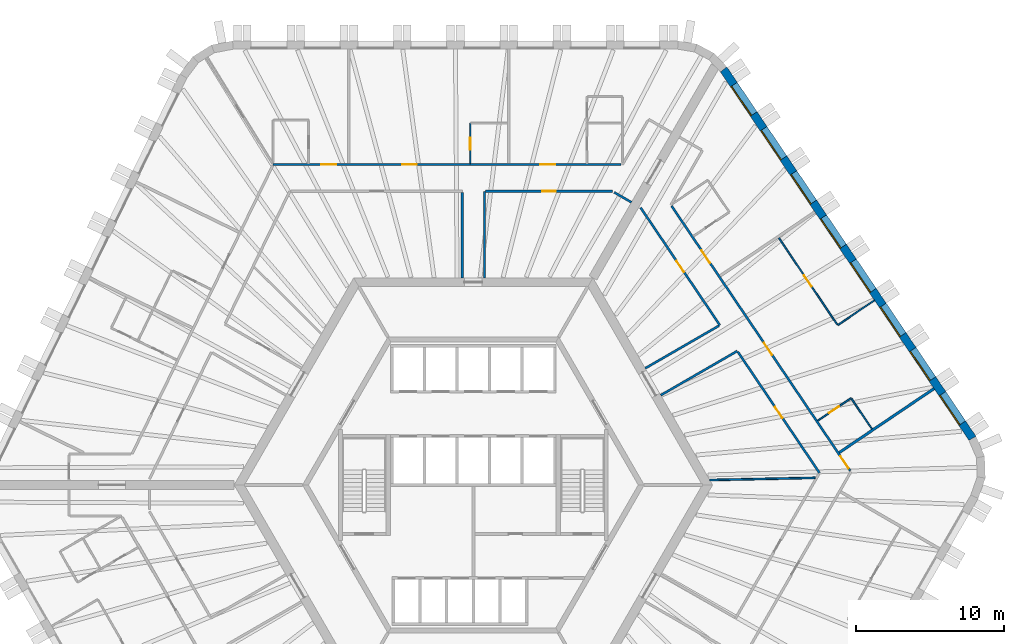
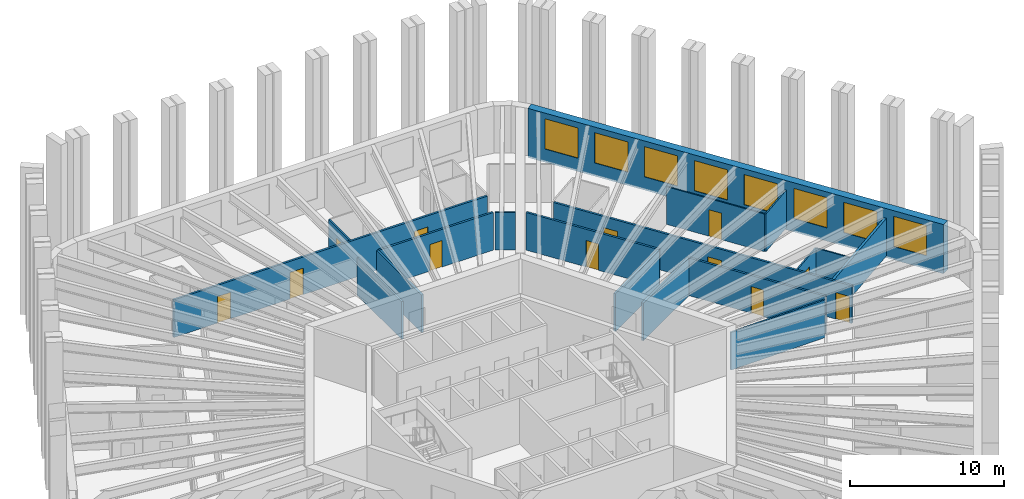
# One storey, part 9 of 13: 18 walls, 12 doors, 8 windows, 20 openings.
"""IFC4 building model written with IfcOpenShell, lengths in metres."""

from ifc_helpers import new_model, si_unit, direction, frame, frame_2d, origin, place, context, subcontext, project, spatial, polyline, rectangle, outline, extrude, material, layer, layer_set, type_object, element, fill, save


model = new_model("IFC4")

# Units and contexts
model_context = context("Model", 3, precision=1e-05, world=origin(), true_north=direction((0.0, 1.0)))
body_context = subcontext(model_context, "Body", "Model", "MODEL_VIEW")
ifc_project = project(units=[si_unit("LENGTHUNIT", "METRE"), si_unit("AREAUNIT", "SQUARE_METRE"), si_unit("VOLUMEUNIT", "CUBIC_METRE"), si_unit("PLANEANGLEUNIT", "RADIAN"), si_unit("MASSUNIT", "GRAM", prefix="KILO")], contexts=[model_context])

# Site, building, storey
site_placement = place(None, origin())
site = spatial("IfcSite", under=ifc_project, at=site_placement, CompositionType="ELEMENT")
building_placement = place(site_placement, origin())
building = spatial("IfcBuilding", under=site, at=building_placement, Name="Tarnside Tower", CompositionType="ELEMENT")
storey_placement = place(building_placement, frame((0.0, 0.0, 80.39990234375)))
storey = spatial("IfcBuildingStorey", under=building, at=storey_placement, Name="L17", CompositionType="ELEMENT", Elevation=80.39990234375)

# Wall, opening, door
ifc_material_1 = material(Name="Gypsum board partition on steel studs", Category="steel")
ifc_layer_1 = layer(ifc_material_1, 0.10009765625)
ifc_layer_set_1 = layer_set([ifc_layer_1], Name="Bathroom wall 100")
wall_type_1 = type_object("IfcWallType", Name="Bathroom wall 100", PredefinedType="PARTITIONING", material=ifc_layer_set_1)
wall_1_placement = place(storey_placement, frame((-0.2109375, 21.72509765625, 0.0), z_axis=(0.0, 0.0, 1.0), x_axis=(0.0, 1.0, 0.0)))
wall_1 = element("IfcWall", 1, at=wall_1_placement, inside=storey, type_object=wall_type_1, Name="Bathroom wall 05087", PredefinedType="PARTITIONING", context=body_context, shape_type="SweptSolid", body=[
    extrude(rectangle(XDim=2.724853515625, YDim=0.10009765625, at=frame_2d((1.3623046875, 0.0))), origin(), (0.0, 0.0, 1.0), 2.98779296875),
])
opening_1_placement = place(wall_1_placement, frame((0.925048828125, 0.0, 0.0)))
opening_1 = element("IfcOpeningElement", 2, at=opening_1_placement, cuts=wall_1, Name="Opening D-B1", PredefinedType="OPENING", context=body_context, shape_type="SweptSolid", body=[
    extrude(rectangle(XDim=0.800048828125, YDim=2.10009765625, at=frame_2d((0.39990234375, 1.050048828125))), frame((0.0, 0.06005859375, 0.0), z_axis=(0.0, -1.0, 0.0), x_axis=(1.0, 0.0, 0.0)), (0.0, 0.0, 1.0), 0.1201171875),
])
ifc_material_2 = material(Name="Timber door leaf", Category="wood")
door_type_1 = type_object("IfcDoorType", Name="Bathroom door 800", OperationType="NOTDEFINED", PredefinedType="DOOR", material=ifc_material_2)
door_1_placement = place(opening_1_placement, origin())
door_1 = element("IfcDoor", 3, at=door_1_placement, inside=storey, type_object=door_type_1, Name="Bathroom door 05005", OperationType="SINGLE_SWING_RIGHT", OverallHeight=2.10009765625, OverallWidth=0.800048828125, PredefinedType="DOOR", context=body_context, shape_type="SweptSolid", body=[
    extrude(rectangle(XDim=0.800048828125, YDim=2.10009765625, at=frame_2d((0.39990234375, 1.050048828125))), frame((0.0, 0.02490234375, 0.0), z_axis=(0.0, -1.0, 0.0), x_axis=(1.0, 0.0, 0.0)), (0.0, 0.0, 1.0), 0.050048828125),
])
fill(opening_1, door_1)

wall_2_placement = place(storey_placement, frame((23.2734375, 4.34619140625, 0.0), z_axis=(0.0, 0.0, 1.0), x_axis=(0.829005477618, 0.559240483226, 0.0)))
wall_2 = element("IfcWall", 4, at=wall_2_placement, inside=storey, type_object=wall_type_1, Name="Bathroom wall 05150", PredefinedType="PARTITIONING", context=body_context, shape_type="SweptSolid", body=[
    extrude(rectangle(XDim=2.72509765625, YDim=0.10009765625, at=frame_2d((1.362548828125, 0.0))), origin(), (0.0, 0.0, 1.0), 2.98779296875),
])
opening_2_placement = place(wall_2_placement, frame((0.925048828125, 0.0, 0.0)))
opening_2 = element("IfcOpeningElement", 5, at=opening_2_placement, cuts=wall_2, Name="Opening D-B1", PredefinedType="OPENING", context=body_context, shape_type="SweptSolid", body=[
    extrude(rectangle(XDim=0.800048828125, YDim=2.10009765625, at=frame_2d((0.39990234375, 1.050048828125))), frame((0.0, 0.06005859375, 0.0), z_axis=(0.0, -1.0, 0.0), x_axis=(1.0, 0.0, 0.0)), (0.0, 0.0, 1.0), 0.1201171875),
])
door_2_placement = place(opening_2_placement, origin())
door_2 = element("IfcDoor", 6, at=door_2_placement, inside=storey, type_object=door_type_1, Name="Bathroom door 05037", OperationType="SINGLE_SWING_RIGHT", OverallHeight=2.10009765625, OverallWidth=0.800048828125, PredefinedType="DOOR", context=body_context, shape_type="SweptSolid", body=[
    extrude(rectangle(XDim=0.800048828125, YDim=2.10009765625, at=frame_2d((0.39990234375, 1.050048828125))), frame((0.0, 0.02490234375, 0.0), z_axis=(0.0, -1.0, 0.0), x_axis=(1.0, 0.0, 0.0)), (0.0, 0.0, 1.0), 0.050048828125),
])
fill(opening_2, door_2)

# Wall
wall_3_placement = place(storey_placement, frame((25.560546875, 5.82861328125, 0.0), z_axis=(0.0, 0.0, 1.0), x_axis=(0.559249542518, -0.82899936622, 0.0)))
element("IfcWall", 7, at=wall_3_placement, inside=storey, type_object=wall_type_1, Name="Bathroom wall 05151", PredefinedType="PARTITIONING", context=body_context, shape_type="SweptSolid", body=[
    extrude(rectangle(XDim=2.4599609375, YDim=0.10009765625, at=frame_2d((1.22998046875, 0.0))), origin(), (0.0, 0.0, 1.0), 2.98779296875),
])

# Wall, openings, doors
ifc_layer_2 = layer(ifc_material_1, 0.14990234375)
ifc_layer_set_2 = layer_set([ifc_layer_2], Name="Corridor wall 150 EI 60")
wall_type_2 = type_object("IfcWallType", Name="Corridor wall 150 EI 60", PredefinedType="PARTITIONING", material=ifc_layer_set_2)
wall_4_placement = place(storey_placement, frame((9.988037109375, 21.64990234375, 0.0), z_axis=(0.0, 0.0, 1.0), x_axis=(-1.0, 0.0, 0.0)))
wall_4 = element("IfcWall", 8, at=wall_4_placement, inside=storey, type_object=wall_type_2, Name="Corridor wall 05001", PredefinedType="PARTITIONING", context=body_context, shape_type="SweptSolid", body=[
    extrude(rectangle(XDim=23.516357421875, YDim=0.14990234375, at=frame_2d((11.75830078125, 0.0))), origin(), (0.0, 0.0, 1.0), 2.98779296875),
])
opening_3_placement = place(wall_4_placement, frame((4.456298828125, 0.0, 0.0)))
opening_3 = element("IfcOpeningElement", 9, at=opening_3_placement, cuts=wall_4, Name="Opening D-E1", PredefinedType="OPENING", context=body_context, shape_type="SweptSolid", body=[
    extrude(rectangle(XDim=1.0, YDim=2.10009765625, at=frame_2d((0.5, 1.050048828125))), frame((0.0, 0.0849609375, 0.0), z_axis=(0.0, -1.0, 0.0), x_axis=(1.0, 0.0, 0.0)), (0.0, 0.0, 1.0), 0.169921875),
])
opening_4_placement = place(wall_4_placement, frame((13.79931640625, 0.0, 0.0)))
opening_4 = element("IfcOpeningElement", 10, at=opening_4_placement, cuts=wall_4, Name="Opening D-E1", PredefinedType="OPENING", context=body_context, shape_type="SweptSolid", body=[
    extrude(rectangle(XDim=1.0, YDim=2.10009765625, at=frame_2d((0.5, 1.050048828125))), frame((0.0, 0.0849609375, 0.0), z_axis=(0.0, -1.0, 0.0), x_axis=(1.0, 0.0, 0.0)), (0.0, 0.0, 1.0), 0.169921875),
])
opening_5_placement = place(wall_4_placement, frame((19.2578125, 0.0, 0.0)))
opening_5 = element("IfcOpeningElement", 11, at=opening_5_placement, cuts=wall_4, Name="Opening D-E1", PredefinedType="OPENING", context=body_context, shape_type="SweptSolid", body=[
    extrude(rectangle(XDim=1.0, YDim=2.10009765625, at=frame_2d((0.5, 1.050048828125))), frame((0.0, 0.0849609375, 0.0), z_axis=(0.0, -1.0, 0.0), x_axis=(1.0, 0.0, 0.0)), (0.0, 0.0, 1.0), 0.169921875),
])
door_type_2 = type_object("IfcDoorType", Name="Unit entrance door 1000 FD30S", OperationType="NOTDEFINED", PredefinedType="DOOR", material=ifc_material_2)
door_3_placement = place(opening_3_placement, origin())
door_3 = element("IfcDoor", 12, at=door_3_placement, inside=storey, type_object=door_type_2, Name="Unit door 05001", OperationType="SINGLE_SWING_RIGHT", OverallHeight=2.10009765625, OverallWidth=1.0, PredefinedType="DOOR", context=body_context, shape_type="SweptSolid", body=[
    extrude(rectangle(XDim=1.0, YDim=2.10009765625, at=frame_2d((0.5, 1.050048828125))), frame((0.0, 0.02490234375, 0.0), z_axis=(0.0, -1.0, 0.0), x_axis=(1.0, 0.0, 0.0)), (0.0, 0.0, 1.0), 0.050048828125),
])
fill(opening_3, door_3)
door_4_placement = place(opening_4_placement, origin())
door_4 = element("IfcDoor", 13, at=door_4_placement, inside=storey, type_object=door_type_2, Name="Unit door 05004", OperationType="SINGLE_SWING_LEFT", OverallHeight=2.10009765625, OverallWidth=1.0, PredefinedType="DOOR", context=body_context, shape_type="SweptSolid", body=[
    extrude(rectangle(XDim=1.0, YDim=2.10009765625, at=frame_2d((0.5, 1.050048828125))), frame((0.0, 0.02490234375, 0.0), z_axis=(0.0, -1.0, 0.0), x_axis=(1.0, 0.0, 0.0)), (0.0, 0.0, 1.0), 0.050048828125),
])
fill(opening_4, door_4)
door_5_placement = place(opening_5_placement, origin())
door_5 = element("IfcDoor", 14, at=door_5_placement, inside=storey, type_object=door_type_2, Name="Unit door 05006", OperationType="SINGLE_SWING_RIGHT", OverallHeight=2.10009765625, OverallWidth=1.0, PredefinedType="DOOR", context=body_context, shape_type="SweptSolid", body=[
    extrude(rectangle(XDim=1.0, YDim=2.10009765625, at=frame_2d((0.5, 1.050048828125))), frame((0.0, 0.02490234375, 0.0), z_axis=(0.0, -1.0, 0.0), x_axis=(1.0, 0.0, 0.0)), (0.0, 0.0, 1.0), 0.050048828125),
])
fill(opening_5, door_5)

# Walls
wall_5_placement = place(storey_placement, frame((-0.75, 19.77490234375, 0.0), z_axis=(0.0, 0.0, 1.0), x_axis=(0.0, -1.0, 0.0)))
element("IfcWall", 15, at=wall_5_placement, inside=storey, type_object=wall_type_2, Name="Corridor wall 05019", PredefinedType="PARTITIONING", context=body_context, shape_type="SweptSolid", body=[
    extrude(rectangle(XDim=5.77490234375, YDim=0.14990234375, at=frame_2d((2.887451171875, 0.0))), origin(), (0.0, 0.0, 1.0), 2.98779296875),
])
wall_6_placement = place(storey_placement, frame((0.75, 14.0, 0.0), z_axis=(0.0, 0.0, 1.0), x_axis=(0.0, 1.0, 0.0)))
element("IfcWall", 16, at=wall_6_placement, inside=storey, type_object=wall_type_2, Name="Corridor wall 05022", PredefinedType="PARTITIONING", context=body_context, shape_type="SweptSolid", body=[
    extrude(rectangle(XDim=5.85009765625, YDim=0.14990234375, at=frame_2d((2.925048828125, 0.0))), origin(), (0.0, 0.0, 1.0), 2.98779296875),
])

# Wall, opening, door
wall_7_placement = place(storey_placement, frame((0.824951171875, 19.85009765625, 0.0), z_axis=(0.0, 0.0, 1.0), x_axis=(1.0, 0.0, 0.0)))
wall_7 = element("IfcWall", 17, at=wall_7_placement, inside=storey, type_object=wall_type_2, Name="Corridor wall 05023", PredefinedType="PARTITIONING", context=body_context, shape_type="SweptSolid", body=[
    extrude(rectangle(XDim=8.564208984375, YDim=0.14990234375, at=frame_2d((4.2822265625, 0.0))), origin(), (0.0, 0.0, 1.0), 2.98779296875),
])
opening_6_placement = place(wall_7_placement, frame((3.83203125, 0.0, 0.0)))
opening_6 = element("IfcOpeningElement", 18, at=opening_6_placement, cuts=wall_7, Name="Opening D-S1", PredefinedType="OPENING", context=body_context, shape_type="SweptSolid", body=[
    extrude(rectangle(XDim=0.89990234375, YDim=2.10009765625, at=frame_2d((0.449951171875, 1.050048828125))), frame((0.0, 0.0849609375, 0.0), z_axis=(0.0, -1.0, 0.0), x_axis=(1.0, 0.0, 0.0)), (0.0, 0.0, 1.0), 0.169921875),
])
door_type_3 = type_object("IfcDoorType", Name="Service room door 900 FD30S", OperationType="NOTDEFINED", PredefinedType="DOOR", material=ifc_material_2)
door_6_placement = place(opening_6_placement, origin())
door_6 = element("IfcDoor", 19, at=door_6_placement, inside=storey, type_object=door_type_3, Name="Service door 05043", OperationType="SINGLE_SWING_RIGHT", OverallHeight=2.10009765625, OverallWidth=0.89990234375, PredefinedType="DOOR", context=body_context, shape_type="SweptSolid", body=[
    extrude(rectangle(XDim=0.89990234375, YDim=2.10009765625, at=frame_2d((0.449951171875, 1.050048828125))), frame((0.0, 0.02490234375, 0.0), z_axis=(0.0, -1.0, 0.0), x_axis=(1.0, 0.0, 0.0)), (0.0, 0.0, 1.0), 0.050048828125),
])
fill(opening_6, door_6)

# Wall
wall_8_placement = place(storey_placement, frame((9.51904296875, 19.77490234375, 0.0), z_axis=(0.0, 0.0, 1.0), x_axis=(0.866043397086, -0.499968833392, 0.0)))
element("IfcWall", 20, at=wall_8_placement, inside=storey, type_object=wall_type_2, Name="Corridor wall 05024", PredefinedType="PARTITIONING", context=body_context, shape_type="SweptSolid", body=[
    extrude(rectangle(XDim=1.34375, YDim=0.14990234375, at=frame_2d((0.671875, 0.0))), origin(), (0.0, 0.0, 1.0), 2.98779296875),
])

# Wall, openings, doors
wall_9_placement = place(storey_placement, frame((25.467041015625, 0.960205078125, 0.0), z_axis=(0.0, 0.0, 1.0), x_axis=(-0.559192112521, 0.829038106057, 0.0)))
wall_9 = element("IfcWall", 21, at=wall_9_placement, inside=storey, type_object=wall_type_2, Name="Corridor wall 05062", PredefinedType="PARTITIONING", context=body_context, shape_type="SweptSolid", body=[
    extrude(rectangle(XDim=21.58447265625, YDim=0.14990234375, at=frame_2d((10.792236328125, 0.0))), origin(), (0.0, 0.0, 1.0), 2.98779296875),
])
opening_7_placement = place(wall_9_placement, frame((0.183837890625, 0.0, 0.0)))
opening_7 = element("IfcOpeningElement", 22, at=opening_7_placement, cuts=wall_9, Name="Opening D-E1", PredefinedType="OPENING", context=body_context, shape_type="SweptSolid", body=[
    extrude(rectangle(XDim=1.0, YDim=2.10009765625, at=frame_2d((0.5, 1.050048828125))), frame((0.0, 0.0849609375, 0.0), z_axis=(0.0, -1.0, 0.0), x_axis=(1.0, 0.0, 0.0)), (0.0, 0.0, 1.0), 0.169921875),
])
opening_8_placement = place(wall_9_placement, frame((9.433837890625, 0.0, 0.0)))
opening_8 = element("IfcOpeningElement", 23, at=opening_8_placement, cuts=wall_9, Name="Opening D-E1", PredefinedType="OPENING", context=body_context, shape_type="SweptSolid", body=[
    extrude(rectangle(XDim=1.0, YDim=2.10009765625, at=frame_2d((0.5, 1.050048828125))), frame((0.0, 0.0849609375, 0.0), z_axis=(0.0, -1.0, 0.0), x_axis=(1.0, 0.0, 0.0)), (0.0, 0.0, 1.0), 0.169921875),
])
opening_9_placement = place(wall_9_placement, frame((16.950927734375, 0.0, 0.0)))
opening_9 = element("IfcOpeningElement", 24, at=opening_9_placement, cuts=wall_9, Name="Opening D-E1", PredefinedType="OPENING", context=body_context, shape_type="SweptSolid", body=[
    extrude(rectangle(XDim=1.0, YDim=2.10009765625, at=frame_2d((0.5, 1.050048828125))), frame((0.0, 0.0849609375, 0.0), z_axis=(0.0, -1.0, 0.0), x_axis=(1.0, 0.0, 0.0)), (0.0, 0.0, 1.0), 0.169921875),
])
door_7_placement = place(opening_7_placement, origin())
door_7 = element("IfcDoor", 25, at=door_7_placement, inside=storey, type_object=door_type_2, Name="Unit door 05035", OperationType="SINGLE_SWING_RIGHT", OverallHeight=2.10009765625, OverallWidth=1.0, PredefinedType="DOOR", context=body_context, shape_type="SweptSolid", body=[
    extrude(rectangle(XDim=1.0, YDim=2.10009765625, at=frame_2d((0.5, 1.050048828125))), frame((0.0, 0.02490234375, 0.0), z_axis=(0.0, -1.0, 0.0), x_axis=(1.0, 0.0, 0.0)), (0.0, 0.0, 1.0), 0.050048828125),
])
fill(opening_7, door_7)
door_8_placement = place(opening_8_placement, origin())
door_8 = element("IfcDoor", 26, at=door_8_placement, inside=storey, type_object=door_type_2, Name="Unit door 05036", OperationType="SINGLE_SWING_LEFT", OverallHeight=2.10009765625, OverallWidth=1.0, PredefinedType="DOOR", context=body_context, shape_type="SweptSolid", body=[
    extrude(rectangle(XDim=1.0, YDim=2.10009765625, at=frame_2d((0.5, 1.050048828125))), frame((0.0, 0.02490234375, 0.0), z_axis=(0.0, -1.0, 0.0), x_axis=(1.0, 0.0, 0.0)), (0.0, 0.0, 1.0), 0.050048828125),
])
fill(opening_8, door_8)
door_9_placement = place(opening_9_placement, origin())
door_9 = element("IfcDoor", 27, at=door_9_placement, inside=storey, type_object=door_type_2, Name="Unit door 05039", OperationType="SINGLE_SWING_RIGHT", OverallHeight=2.10009765625, OverallWidth=1.0, PredefinedType="DOOR", context=body_context, shape_type="SweptSolid", body=[
    extrude(rectangle(XDim=1.0, YDim=2.10009765625, at=frame_2d((0.5, 1.050048828125))), frame((0.0, 0.02490234375, 0.0), z_axis=(0.0, -1.0, 0.0), x_axis=(1.0, 0.0, 0.0)), (0.0, 0.0, 1.0), 0.050048828125),
])
fill(opening_9, door_9)

# Wall
wall_10_placement = place(storey_placement, frame((12.663818359375, 6.065673828125, 0.0), z_axis=(0.0, 0.0, 1.0), x_axis=(0.866018848283, 0.500011354289, 0.0)))
element("IfcWall", 28, at=wall_10_placement, inside=storey, type_object=wall_type_2, Name="Corridor wall 05071", PredefinedType="PARTITIONING", context=body_context, shape_type="SweptSolid", body=[
    extrude(rectangle(XDim=5.973876953125, YDim=0.14990234375, at=frame_2d((2.98681640625, 0.0))), origin(), (0.0, 0.0, 1.0), 2.98779296875),
])

# Wall, opening, door
wall_11_placement = place(storey_placement, frame((17.87939453125, 8.990234375, 0.0), z_axis=(0.0, 0.0, 1.0), x_axis=(0.559189565351, -0.829039824136, 0.0)))
wall_11 = element("IfcWall", 29, at=wall_11_placement, inside=storey, type_object=wall_type_2, Name="Corridor wall 05072", PredefinedType="PARTITIONING", context=body_context, shape_type="SweptSolid", body=[
    extrude(rectangle(XDim=9.85888671875, YDim=0.14990234375, at=frame_2d((4.929443359375, 0.0))), origin(), (0.0, 0.0, 1.0), 2.98779296875),
])
opening_10_placement = place(wall_11_placement, frame((4.4794921875, 0.0, 0.0)))
opening_10 = element("IfcOpeningElement", 30, at=opening_10_placement, cuts=wall_11, Name="Opening D-S1", PredefinedType="OPENING", context=body_context, shape_type="SweptSolid", body=[
    extrude(rectangle(XDim=0.89990234375, YDim=2.10009765625, at=frame_2d((0.449951171875, 1.050048828125))), frame((0.0, 0.0849609375, 0.0), z_axis=(0.0, -1.0, 0.0), x_axis=(1.0, 0.0, 0.0)), (0.0, 0.0, 1.0), 0.169921875),
])
door_10_placement = place(opening_10_placement, origin())
door_10 = element("IfcDoor", 31, at=door_10_placement, inside=storey, type_object=door_type_3, Name="Service door 05050", OperationType="SINGLE_SWING_RIGHT", OverallHeight=2.10009765625, OverallWidth=0.89990234375, PredefinedType="DOOR", context=body_context, shape_type="SweptSolid", body=[
    extrude(rectangle(XDim=0.89990234375, YDim=2.10009765625, at=frame_2d((0.449951171875, 1.050048828125))), frame((0.0, 0.02490234375, 0.0), z_axis=(0.0, -1.0, 0.0), x_axis=(1.0, 0.0, 0.0)), (0.0, 0.0, 1.0), 0.050048828125),
])
fill(opening_10, door_10)

wall_12_placement = place(storey_placement, frame((11.297607421875, 18.748046875, 0.0), z_axis=(0.0, 0.0, 1.0), x_axis=(0.559198234291, -0.829033976847, 0.0)))
wall_12 = element("IfcWall", 32, at=wall_12_placement, inside=storey, type_object=wall_type_2, Name="Corridor wall 05077", PredefinedType="PARTITIONING", context=body_context, shape_type="SweptSolid", body=[
    extrude(rectangle(XDim=9.589599609375, YDim=0.14990234375, at=frame_2d((4.794921875, 0.0))), origin(), (0.0, 0.0, 1.0), 2.98779296875),
])
opening_11_placement = place(wall_12_placement, frame((4.3447265625, 0.0, 0.0)))
opening_11 = element("IfcOpeningElement", 33, at=opening_11_placement, cuts=wall_12, Name="Opening D-S1", PredefinedType="OPENING", context=body_context, shape_type="SweptSolid", body=[
    extrude(rectangle(XDim=0.89990234375, YDim=2.10009765625, at=frame_2d((0.449951171875, 1.050048828125))), frame((0.0, 0.0849609375, 0.0), z_axis=(0.0, -1.0, 0.0), x_axis=(1.0, 0.0, 0.0)), (0.0, 0.0, 1.0), 0.169921875),
])
door_11_placement = place(opening_11_placement, origin())
door_11 = element("IfcDoor", 34, at=door_11_placement, inside=storey, type_object=door_type_3, Name="Service door 05052", OperationType="SINGLE_SWING_RIGHT", OverallHeight=2.10009765625, OverallWidth=0.89990234375, PredefinedType="DOOR", context=body_context, shape_type="SweptSolid", body=[
    extrude(rectangle(XDim=0.89990234375, YDim=2.10009765625, at=frame_2d((0.449951171875, 1.050048828125))), frame((0.0, 0.02490234375, 0.0), z_axis=(0.0, -1.0, 0.0), x_axis=(1.0, 0.0, 0.0)), (0.0, 0.0, 1.0), 0.050048828125),
])
fill(opening_11, door_11)

# Walls
wall_13_placement = place(storey_placement, frame((16.594970703125, 10.76025390625, 0.0), z_axis=(0.0, 0.0, 1.0), x_axis=(-0.866019477104, -0.500010265171, 0.0)))
element("IfcWall", 35, at=wall_13_placement, inside=storey, type_object=wall_type_2, Name="Corridor wall 05078", PredefinedType="PARTITIONING", context=body_context, shape_type="SweptSolid", body=[
    extrude(rectangle(XDim=5.751953125, YDim=0.14990234375, at=frame_2d((2.8759765625, 0.0))), origin(), (0.0, 0.0, 1.0), 2.98779296875),
])
ifc_layer_3 = layer(ifc_material_1, 0.179931640625)
ifc_layer_set_3 = layer_set([ifc_layer_3], Name="Demising wall 180 EI 60")
wall_type_3 = type_object("IfcWallType", Name="Demising wall 180 EI 60", PredefinedType="PARTITIONING", material=ifc_layer_set_3)
wall_14_placement = place(storey_placement, frame((31.131591796875, 6.510498046875, 0.0), z_axis=(0.0, 0.0, 1.0), x_axis=(-0.829047937134, -0.559177537043, 0.0)))
element("IfcWall", 36, at=wall_14_placement, inside=storey, type_object=wall_type_3, Name="Demising wall 05148", PredefinedType="PARTITIONING", context=body_context, shape_type="SweptSolid", body=[
    extrude(rectangle(XDim=7.724853515625, YDim=0.179931640625, at=frame_2d((3.8623046875, 0.0))), origin(), (0.0, 0.0, 1.0), 2.98779296875),
])
ifc_layer_4 = layer(ifc_material_1, 0.10009765625)
ifc_layer_set_4 = layer_set([ifc_layer_4], Name="Partition 100")
wall_type_4 = type_object("IfcWallType", Name="Partition 100", PredefinedType="PARTITIONING", material=ifc_layer_set_4)
wall_15_placement = place(storey_placement, frame((27.10546875, 12.479736328125, 0.0), z_axis=(0.0, 0.0, 1.0), x_axis=(-0.829008079006, -0.559236626968, 0.0)))
element("IfcWall", 37, at=wall_15_placement, inside=storey, type_object=wall_type_4, Name="Partition wall 05152", PredefinedType="PARTITIONING", context=body_context, shape_type="SweptSolid", body=[
    extrude(rectangle(XDim=3.0, YDim=0.10009765625, at=frame_2d((1.5, 0.0))), origin(), (0.0, 0.0, 1.0), 2.98779296875),
])

# Wall, opening, door
wall_16_placement = place(storey_placement, frame((24.59033203125, 10.843505859375, 0.0), z_axis=(0.0, 0.0, 1.0), x_axis=(-0.559177045947, 0.829048268369, 0.0)))
wall_16 = element("IfcWall", 38, at=wall_16_placement, inside=storey, type_object=wall_type_4, Name="Partition wall 05153", PredefinedType="PARTITIONING", context=body_context, shape_type="SweptSolid", body=[
    extrude(rectangle(XDim=7.059814453125, YDim=0.10009765625, at=frame_2d((3.52978515625, 0.0))), origin(), (0.0, 0.0, 1.0), 2.98779296875),
])
opening_12_placement = place(wall_16_placement, frame((3.10009765625, 0.0, 0.0)))
opening_12 = element("IfcOpeningElement", 39, at=opening_12_placement, cuts=wall_16, Name="Opening D-I1", PredefinedType="OPENING", context=body_context, shape_type="SweptSolid", body=[
    extrude(rectangle(XDim=0.89990234375, YDim=2.10009765625, at=frame_2d((0.449951171875, 1.050048828125))), frame((0.0, 0.06005859375, 0.0), z_axis=(0.0, -1.0, 0.0), x_axis=(1.0, 0.0, 0.0)), (0.0, 0.0, 1.0), 0.1201171875),
])
door_type_4 = type_object("IfcDoorType", Name="Internal door 900", OperationType="NOTDEFINED", PredefinedType="DOOR", material=ifc_material_2)
door_12_placement = place(opening_12_placement, origin())
door_12 = element("IfcDoor", 40, at=door_12_placement, inside=storey, type_object=door_type_4, Name="Internal door 05038", OperationType="SINGLE_SWING_RIGHT", OverallHeight=2.10009765625, OverallWidth=0.89990234375, PredefinedType="DOOR", context=body_context, shape_type="SweptSolid", body=[
    extrude(rectangle(XDim=0.89990234375, YDim=2.10009765625, at=frame_2d((0.449951171875, 1.050048828125))), frame((0.0, 0.02490234375, 0.0), z_axis=(0.0, -1.0, 0.0), x_axis=(1.0, 0.0, 0.0)), (0.0, 0.0, 1.0), 0.050048828125),
])
fill(opening_12, door_12)

# Wall
ifc_layer_5 = layer(ifc_material_1, 0.1201171875)
ifc_layer_set_5 = layer_set([ifc_layer_5], Name="Service room wall 120 EI 60")
wall_type_5 = type_object("IfcWallType", Name="Service room wall 120 EI 60", PredefinedType="PARTITIONING", material=ifc_layer_set_5)
wall_17_placement = place(storey_placement, frame((23.113037109375, 0.483154296875, 0.0), z_axis=(0.0, 0.0, 1.0), x_axis=(-0.999781109464, -0.020922073482, 0.0)))
element("IfcWall", 41, at=wall_17_placement, inside=storey, type_object=wall_type_5, Name="Service wall 05161", PredefinedType="PARTITIONING", context=body_context, shape_type="SweptSolid", body=[
    extrude(rectangle(XDim=7.141357421875, YDim=0.1201171875, at=frame_2d((3.57080078125, 0.0))), origin(), (0.0, 0.0, 1.0), 2.98779296875),
])

# Wall, openings, windows
ifc_material_3 = material(Name="Facing brick", Category="masonry")
ifc_layer_6 = layer(ifc_material_3, 0.10205078125)
ifc_material_4 = material(Name="Concrete C60/75 precast", Category="concrete")
ifc_layer_7 = layer(ifc_material_4, 0.347900390625)
ifc_material_5 = material(Name="Mineral wool insulation")
ifc_layer_8 = layer(ifc_material_5, 0.10009765625)
ifc_layer_set_6 = layer_set([ifc_layer_6, ifc_layer_7, ifc_layer_8], Name="Tube wall 550 brick faced")
wall_type_6 = type_object("IfcWallType", Name="Tube wall 550 brick faced", PredefinedType="SOLIDWALL", material=ifc_layer_set_6)
wall_18_placement = place(storey_placement, frame((33.72802734375, 3.153076171875, -0.14990234375), z_axis=(0.0, 0.0, 1.0), x_axis=(-0.559192411416, 0.82903790445, 0.0)))
wall_18 = element("IfcWall", 42, at=wall_18_placement, inside=storey, type_object=wall_type_6, Name="Tube wall L17 F6 flush 20", PredefinedType="SOLIDWALL", context=body_context, shape_type="SweptSolid", body=[
    extrude(outline(polyline([(-0.025634765625, -0.27490234375), (30.09326171875, -0.27490234375), (30.04833984375, 0.27490234375), (0.025634765625, 0.27490234375), (-0.025634765625, -0.27490234375)])), origin(), (0.0, 0.0, 1.0), 3.89990234375),
])
opening_13_placement = place(wall_18_placement, frame((1.235595703125, 0.0, 1.050048828125)))
opening_13 = element("IfcOpeningElement", 43, at=opening_13_placement, cuts=wall_18, Name="Opening WH", PredefinedType="OPENING", context=body_context, shape_type="SweptSolid", body=[
    extrude(rectangle(XDim=2.39990234375, YDim=2.39990234375, at=frame_2d((1.199951171875, 1.199951171875))), frame((0.0, 0.28515625, 0.0), z_axis=(0.0, -1.0, 0.0), x_axis=(1.0, 0.0, 0.0)), (0.0, 0.0, 1.0), 0.570068359375),
])
opening_14_placement = place(wall_18_placement, frame((4.83544921875, 0.0, 1.050048828125)))
opening_14 = element("IfcOpeningElement", 44, at=opening_14_placement, cuts=wall_18, Name="Opening WH", PredefinedType="OPENING", context=body_context, shape_type="SweptSolid", body=[
    extrude(rectangle(XDim=2.39990234375, YDim=2.39990234375, at=frame_2d((1.199951171875, 1.199951171875))), frame((0.0, 0.28515625, 0.0), z_axis=(0.0, -1.0, 0.0), x_axis=(1.0, 0.0, 0.0)), (0.0, 0.0, 1.0), 0.570068359375),
])
opening_15_placement = place(wall_18_placement, frame((8.435546875, 0.0, 1.050048828125)))
opening_15 = element("IfcOpeningElement", 45, at=opening_15_placement, cuts=wall_18, Name="Opening WH", PredefinedType="OPENING", context=body_context, shape_type="SweptSolid", body=[
    extrude(rectangle(XDim=2.39990234375, YDim=2.39990234375, at=frame_2d((1.199951171875, 1.199951171875))), frame((0.0, 0.28515625, 0.0), z_axis=(0.0, -1.0, 0.0), x_axis=(1.0, 0.0, 0.0)), (0.0, 0.0, 1.0), 0.570068359375),
])
opening_16_placement = place(wall_18_placement, frame((12.035400390625, 0.0, 1.050048828125)))
opening_16 = element("IfcOpeningElement", 46, at=opening_16_placement, cuts=wall_18, Name="Opening WH", PredefinedType="OPENING", context=body_context, shape_type="SweptSolid", body=[
    extrude(rectangle(XDim=2.39990234375, YDim=2.39990234375, at=frame_2d((1.199951171875, 1.199951171875))), frame((0.0, 0.28515625, 0.0), z_axis=(0.0, -1.0, 0.0), x_axis=(1.0, 0.0, 0.0)), (0.0, 0.0, 1.0), 0.570068359375),
])
opening_17_placement = place(wall_18_placement, frame((15.635498046875, 0.0, 1.050048828125)))
opening_17 = element("IfcOpeningElement", 47, at=opening_17_placement, cuts=wall_18, Name="Opening WH", PredefinedType="OPENING", context=body_context, shape_type="SweptSolid", body=[
    extrude(rectangle(XDim=2.39990234375, YDim=2.39990234375, at=frame_2d((1.199951171875, 1.199951171875))), frame((0.0, 0.28515625, 0.0), z_axis=(0.0, -1.0, 0.0), x_axis=(1.0, 0.0, 0.0)), (0.0, 0.0, 1.0), 0.570068359375),
])
opening_18_placement = place(wall_18_placement, frame((19.235595703125, 0.0, 1.050048828125)))
opening_18 = element("IfcOpeningElement", 48, at=opening_18_placement, cuts=wall_18, Name="Opening WH", PredefinedType="OPENING", context=body_context, shape_type="SweptSolid", body=[
    extrude(rectangle(XDim=2.39990234375, YDim=2.39990234375, at=frame_2d((1.199951171875, 1.199951171875))), frame((0.0, 0.28515625, 0.0), z_axis=(0.0, -1.0, 0.0), x_axis=(1.0, 0.0, 0.0)), (0.0, 0.0, 1.0), 0.570068359375),
])
opening_19_placement = place(wall_18_placement, frame((22.83544921875, 0.0, 1.050048828125)))
opening_19 = element("IfcOpeningElement", 49, at=opening_19_placement, cuts=wall_18, Name="Opening WH", PredefinedType="OPENING", context=body_context, shape_type="SweptSolid", body=[
    extrude(rectangle(XDim=2.39990234375, YDim=2.39990234375, at=frame_2d((1.199951171875, 1.199951171875))), frame((0.0, 0.28515625, 0.0), z_axis=(0.0, -1.0, 0.0), x_axis=(1.0, 0.0, 0.0)), (0.0, 0.0, 1.0), 0.570068359375),
])
opening_20_placement = place(wall_18_placement, frame((26.435546875, 0.0, 1.050048828125)))
opening_20 = element("IfcOpeningElement", 50, at=opening_20_placement, cuts=wall_18, Name="Opening WH", PredefinedType="OPENING", context=body_context, shape_type="SweptSolid", body=[
    extrude(rectangle(XDim=2.39990234375, YDim=2.39990234375, at=frame_2d((1.199951171875, 1.199951171875))), frame((0.0, 0.28515625, 0.0), z_axis=(0.0, -1.0, 0.0), x_axis=(1.0, 0.0, 0.0)), (0.0, 0.0, 1.0), 0.570068359375),
])
ifc_material_6 = material(Name="Aluminium-framed double glazing", Category="aluminium")
window_type = type_object("IfcWindowType", Name="Hotel window 2400 x 2400", PartitioningType="DOUBLE_PANEL_VERTICAL", PredefinedType="WINDOW", material=ifc_material_6)
window_1_placement = place(opening_13_placement, frame((0.0, 0.205078125, 0.0)))
window_1 = element("IfcWindow", 51, at=window_1_placement, inside=storey, type_object=window_type, Name="E.WN.L17.F6.00", OverallHeight=2.39990234375, OverallWidth=2.39990234375, PartitioningType="DOUBLE_PANEL_VERTICAL", PredefinedType="WINDOW", context=body_context, shape_type="SweptSolid", body=[
    extrude(rectangle(XDim=2.39990234375, YDim=2.39990234375, at=frame_2d((1.199951171875, 1.199951171875))), frame((0.0, 0.030029296875, 0.0), z_axis=(0.0, -1.0, 0.0), x_axis=(1.0, 0.0, 0.0)), (0.0, 0.0, 1.0), 0.06005859375),
])
fill(opening_13, window_1)
window_2_placement = place(opening_14_placement, frame((0.0, 0.205078125, 0.0)))
window_2 = element("IfcWindow", 52, at=window_2_placement, inside=storey, type_object=window_type, Name="E.WN.L17.F6.01", OverallHeight=2.39990234375, OverallWidth=2.39990234375, PartitioningType="DOUBLE_PANEL_VERTICAL", PredefinedType="WINDOW", context=body_context, shape_type="SweptSolid", body=[
    extrude(rectangle(XDim=2.39990234375, YDim=2.39990234375, at=frame_2d((1.199951171875, 1.199951171875))), frame((0.0, 0.030029296875, 0.0), z_axis=(0.0, -1.0, 0.0), x_axis=(1.0, 0.0, 0.0)), (0.0, 0.0, 1.0), 0.06005859375),
])
fill(opening_14, window_2)
window_3_placement = place(opening_15_placement, frame((0.0, 0.205078125, 0.0)))
window_3 = element("IfcWindow", 53, at=window_3_placement, inside=storey, type_object=window_type, Name="E.WN.L17.F6.02", OverallHeight=2.39990234375, OverallWidth=2.39990234375, PartitioningType="DOUBLE_PANEL_VERTICAL", PredefinedType="WINDOW", context=body_context, shape_type="SweptSolid", body=[
    extrude(rectangle(XDim=2.39990234375, YDim=2.39990234375, at=frame_2d((1.199951171875, 1.199951171875))), frame((0.0, 0.030029296875, 0.0), z_axis=(0.0, -1.0, 0.0), x_axis=(1.0, 0.0, 0.0)), (0.0, 0.0, 1.0), 0.06005859375),
])
fill(opening_15, window_3)
window_4_placement = place(opening_16_placement, frame((0.0, 0.205078125, 0.0)))
window_4 = element("IfcWindow", 54, at=window_4_placement, inside=storey, type_object=window_type, Name="E.WN.L17.F6.03", OverallHeight=2.39990234375, OverallWidth=2.39990234375, PartitioningType="DOUBLE_PANEL_VERTICAL", PredefinedType="WINDOW", context=body_context, shape_type="SweptSolid", body=[
    extrude(rectangle(XDim=2.39990234375, YDim=2.39990234375, at=frame_2d((1.199951171875, 1.199951171875))), frame((0.0, 0.030029296875, 0.0), z_axis=(0.0, -1.0, 0.0), x_axis=(1.0, 0.0, 0.0)), (0.0, 0.0, 1.0), 0.06005859375),
])
fill(opening_16, window_4)
window_5_placement = place(opening_17_placement, frame((0.0, 0.205078125, 0.0)))
window_5 = element("IfcWindow", 55, at=window_5_placement, inside=storey, type_object=window_type, Name="E.WN.L17.F6.04", OverallHeight=2.39990234375, OverallWidth=2.39990234375, PartitioningType="DOUBLE_PANEL_VERTICAL", PredefinedType="WINDOW", context=body_context, shape_type="SweptSolid", body=[
    extrude(rectangle(XDim=2.39990234375, YDim=2.39990234375, at=frame_2d((1.199951171875, 1.199951171875))), frame((0.0, 0.030029296875, 0.0), z_axis=(0.0, -1.0, 0.0), x_axis=(1.0, 0.0, 0.0)), (0.0, 0.0, 1.0), 0.06005859375),
])
fill(opening_17, window_5)
window_6_placement = place(opening_18_placement, frame((0.0, 0.205078125, 0.0)))
window_6 = element("IfcWindow", 56, at=window_6_placement, inside=storey, type_object=window_type, Name="E.WN.L17.F6.05", OverallHeight=2.39990234375, OverallWidth=2.39990234375, PartitioningType="DOUBLE_PANEL_VERTICAL", PredefinedType="WINDOW", context=body_context, shape_type="SweptSolid", body=[
    extrude(rectangle(XDim=2.39990234375, YDim=2.39990234375, at=frame_2d((1.199951171875, 1.199951171875))), frame((0.0, 0.030029296875, 0.0), z_axis=(0.0, -1.0, 0.0), x_axis=(1.0, 0.0, 0.0)), (0.0, 0.0, 1.0), 0.06005859375),
])
fill(opening_18, window_6)
window_7_placement = place(opening_19_placement, frame((0.0, 0.205078125, 0.0)))
window_7 = element("IfcWindow", 57, at=window_7_placement, inside=storey, type_object=window_type, Name="E.WN.L17.F6.06", OverallHeight=2.39990234375, OverallWidth=2.39990234375, PartitioningType="DOUBLE_PANEL_VERTICAL", PredefinedType="WINDOW", context=body_context, shape_type="SweptSolid", body=[
    extrude(rectangle(XDim=2.39990234375, YDim=2.39990234375, at=frame_2d((1.199951171875, 1.199951171875))), frame((0.0, 0.030029296875, 0.0), z_axis=(0.0, -1.0, 0.0), x_axis=(1.0, 0.0, 0.0)), (0.0, 0.0, 1.0), 0.06005859375),
])
fill(opening_19, window_7)
window_8_placement = place(opening_20_placement, frame((0.0, 0.205078125, 0.0)))
window_8 = element("IfcWindow", 58, at=window_8_placement, inside=storey, type_object=window_type, Name="E.WN.L17.F6.07", OverallHeight=2.39990234375, OverallWidth=2.39990234375, PartitioningType="DOUBLE_PANEL_VERTICAL", PredefinedType="WINDOW", context=body_context, shape_type="SweptSolid", body=[
    extrude(rectangle(XDim=2.39990234375, YDim=2.39990234375, at=frame_2d((1.199951171875, 1.199951171875))), frame((0.0, 0.030029296875, 0.0), z_axis=(0.0, -1.0, 0.0), x_axis=(1.0, 0.0, 0.0)), (0.0, 0.0, 1.0), 0.06005859375),
])
fill(opening_20, window_8)

save(model, "model.ifc")
